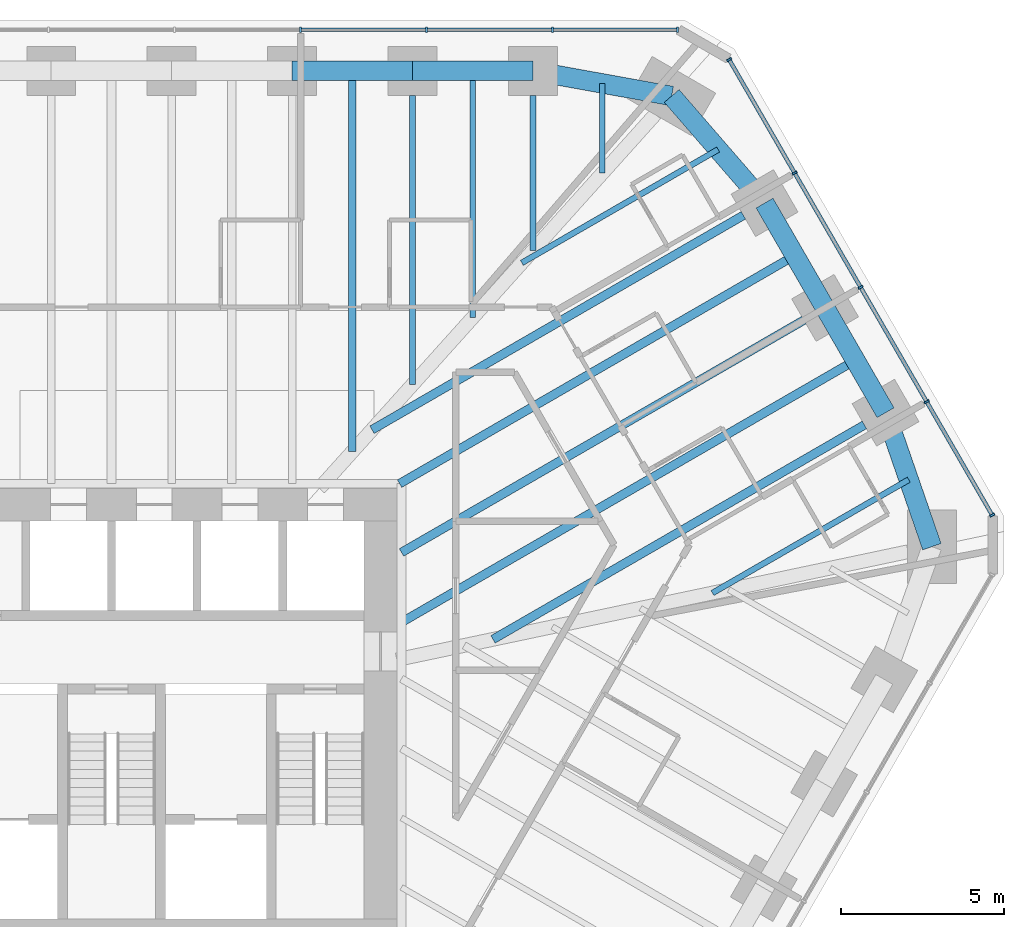
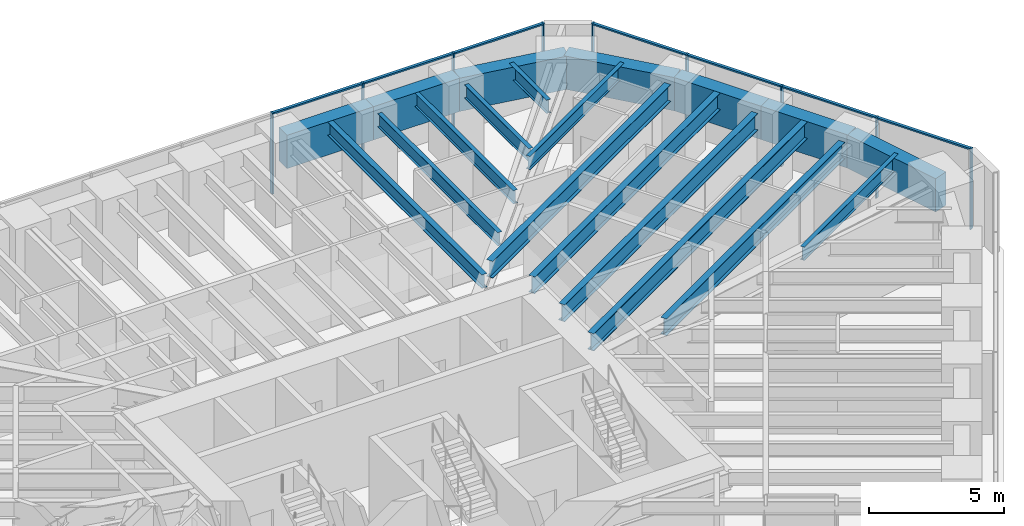
# One storey, part 9 of 17: 19 beams, 16 members, 2 elements without a shape of their own.
"""IFC4 building model written with IfcOpenShell, lengths in metres."""

from ifc_helpers import new_model, si_unit, direction, frame, origin, origin_2d, place, context, subcontext, project, spatial, rectangle, i_section, extrude, material, material_profile, profile_set, type_object, element, aggregate, save


model = new_model("IFC4")

# Units and contexts
model_context = context("Model", 3, precision=1e-05, world=origin(), true_north=direction((0.0, 1.0)))
body_context = subcontext(model_context, "Body", "Model", "MODEL_VIEW")
ifc_project = project(units=[si_unit("LENGTHUNIT", "METRE"), si_unit("AREAUNIT", "SQUARE_METRE"), si_unit("VOLUMEUNIT", "CUBIC_METRE"), si_unit("PLANEANGLEUNIT", "RADIAN"), si_unit("MASSUNIT", "GRAM", prefix="KILO")], contexts=[model_context])

# Site, building, storey
site_placement = place(None, origin())
site = spatial("IfcSite", under=ifc_project, at=site_placement, CompositionType="ELEMENT")
building_placement = place(site_placement, origin())
building = spatial("IfcBuilding", under=site, at=building_placement, Name="Sandreach Pilgrim Tower", CompositionType="ELEMENT")
storey_placement = place(building_placement, frame((0.0, 0.0, 213.60009765625)))
storey = spatial("IfcBuildingStorey", under=building, at=storey_placement, Name="L53", CompositionType="ELEMENT", Elevation=213.60009765625)

# Curtain wall, members
ifc_material_1 = material(Name="Aluminium framed curtain wall", Category="aluminium")
curtain_wall_type = type_object("IfcCurtainWallType", Name="Upper hotel tower curtain wall", PredefinedType="NOTDEFINED", material=ifc_material_1)
curtain_wall_1_placement = place(storey_placement, origin())
curtain_wall_1 = element("IfcCurtainWall", 1, at=curtain_wall_1_placement, inside=storey, type_object=curtain_wall_type, Name="CW-3 L53 N", PredefinedType="NOTDEFINED")
ifc_material_2 = material(Name="Aluminium extrusion", Category="aluminium")
ifc_material_profile_1 = material_profile(ifc_material_2, rectangle(XDim=0.06494140625, YDim=0.159912109375, at=origin_2d()), Name="CW-3M 65X160")
ifc_profile_set_1 = profile_set([ifc_material_profile_1], Name="Aluminium extrusion")
member_type_1 = type_object("IfcMemberType", Name="CW-3 mullion", PredefinedType="MULLION", material=ifc_profile_set_1)
member_1_placement = place(storey_placement, frame((5.796630859375, 21.16015625, 0.0), z_axis=(0.0, 0.0, 1.0), x_axis=(1.0, 0.0, 0.0)))
member_1 = element("IfcMember", 2, at=member_1_placement, type_object=member_type_1, Name="CW-3 mullion 7", PredefinedType="MULLION", context=body_context, shape_type="SweptSolid", body=[
    extrude(rectangle(XDim=0.06494140625, YDim=0.159912109375, at=origin_2d()), origin(), (0.0, 0.0, 1.0), 3.639892578125),
])
member_2_placement = place(storey_placement, frame((9.6611328125, 21.16015625, 0.0), z_axis=(0.0, 0.0, 1.0), x_axis=(1.0, 0.0, 0.0)))
member_2 = element("IfcMember", 3, at=member_2_placement, type_object=member_type_1, Name="CW-3 mullion 8", PredefinedType="MULLION", context=body_context, shape_type="SweptSolid", body=[
    extrude(rectangle(XDim=0.06494140625, YDim=0.159912109375, at=origin_2d()), origin(), (0.0, 0.0, 1.0), 3.639892578125),
])
member_3_placement = place(storey_placement, frame((13.525390625, 21.16015625, 0.0), z_axis=(0.0, 0.0, 1.0), x_axis=(1.0, 0.0, 0.0)))
member_3 = element("IfcMember", 4, at=member_3_placement, type_object=member_type_1, Name="CW-3 mullion 9", PredefinedType="MULLION", context=body_context, shape_type="SweptSolid", body=[
    extrude(rectangle(XDim=0.06494140625, YDim=0.159912109375, at=origin_2d()), origin(), (0.0, 0.0, 1.0), 3.639892578125),
])
member_4_placement = place(storey_placement, frame((17.357421875, 21.16015625, 0.0), z_axis=(0.0, 0.0, 1.0), x_axis=(1.0, 0.0, 0.0)))
member_4 = element("IfcMember", 5, at=member_4_placement, type_object=member_type_1, Name="CW-3 mullion 10", PredefinedType="MULLION", context=body_context, shape_type="SweptSolid", body=[
    extrude(rectangle(XDim=0.06494140625, YDim=0.159912109375, at=origin_2d()), origin(), (0.0, 0.0, 1.0), 3.639892578125),
])

curtain_wall_2_placement = place(storey_placement, origin())
curtain_wall_2 = element("IfcCurtainWall", 6, at=curtain_wall_2_placement, inside=storey, type_object=curtain_wall_type, Name="CW-3 L53 NE", PredefinedType="NOTDEFINED")
member_5_placement = place(storey_placement, frame((18.93896484375, 20.2470703125, 0.0), z_axis=(0.0, 0.0, 1.0), x_axis=(0.5, -0.866025403784, 0.0)))
member_5 = element("IfcMember", 7, at=member_5_placement, type_object=member_type_1, Name="CW-3 mullion 1", PredefinedType="MULLION", context=body_context, shape_type="SweptSolid", body=[
    extrude(rectangle(XDim=0.06494140625, YDim=0.159912109375, at=origin_2d()), origin(), (0.0, 0.0, 1.0), 3.639892578125),
])
member_6_placement = place(storey_placement, frame((20.947021484375, 16.768798828125, 0.0), z_axis=(0.0, 0.0, 1.0), x_axis=(0.5, -0.866025403784, 0.0)))
member_6 = element("IfcMember", 8, at=member_6_placement, type_object=member_type_1, Name="CW-3 mullion 2", PredefinedType="MULLION", context=body_context, shape_type="SweptSolid", body=[
    extrude(rectangle(XDim=0.06494140625, YDim=0.159912109375, at=origin_2d()), origin(), (0.0, 0.0, 1.0), 3.639892578125),
])
member_7_placement = place(storey_placement, frame((22.971435546875, 13.262451171875, 0.0), z_axis=(0.0, 0.0, 1.0), x_axis=(0.5, -0.866025403784, 0.0)))
member_7 = element("IfcMember", 9, at=member_7_placement, type_object=member_type_1, Name="CW-3 mullion 3", PredefinedType="MULLION", context=body_context, shape_type="SweptSolid", body=[
    extrude(rectangle(XDim=0.06494140625, YDim=0.159912109375, at=origin_2d()), origin(), (0.0, 0.0, 1.0), 3.639892578125),
])
member_8_placement = place(storey_placement, frame((24.995849609375, 9.75634765625, 0.0), z_axis=(0.0, 0.0, 1.0), x_axis=(0.5, -0.866025403784, 0.0)))
member_8 = element("IfcMember", 10, at=member_8_placement, type_object=member_type_1, Name="CW-3 mullion 4", PredefinedType="MULLION", context=body_context, shape_type="SweptSolid", body=[
    extrude(rectangle(XDim=0.06494140625, YDim=0.159912109375, at=origin_2d()), origin(), (0.0, 0.0, 1.0), 3.639892578125),
])
member_9_placement = place(storey_placement, frame((27.00390625, 6.278076171875, 0.0), z_axis=(0.0, 0.0, 1.0), x_axis=(0.5, -0.866025403784, 0.0)))
member_9 = element("IfcMember", 11, at=member_9_placement, type_object=member_type_1, Name="CW-3 mullion 5", PredefinedType="MULLION", context=body_context, shape_type="SweptSolid", body=[
    extrude(rectangle(XDim=0.06494140625, YDim=0.159912109375, at=origin_2d()), origin(), (0.0, 0.0, 1.0), 3.639892578125),
])

# Member
ifc_material_3 = material(Name="Aluminium extrusion", Category="aluminium")
ifc_material_profile_2 = material_profile(ifc_material_3, rectangle(XDim=0.1201171875, YDim=0.070068359375, at=origin_2d()), Name="CW-3T 120X70")
ifc_profile_set_2 = profile_set([ifc_material_profile_2], Name="Aluminium extrusion")
member_type_2 = type_object("IfcMemberType", Name="CW-3 transom", PredefinedType="USERDEFINED", material=ifc_profile_set_2)
member_10_placement = place(storey_placement, frame((5.8291015625, 21.16015625, 3.60498046875), z_axis=(1.0, 0.0, 0.0), x_axis=(0.0, 1.0, 0.0)))
member_10 = element("IfcMember", 12, at=member_10_placement, type_object=member_type_2, Name="CW-3 head transom 7", ObjectType="TRANSOM", PredefinedType="USERDEFINED", context=body_context, shape_type="SweptSolid", body=[
    extrude(rectangle(XDim=0.1201171875, YDim=0.070068359375, at=origin_2d()), origin(), (0.0, 0.0, 1.0), 3.799560546875),
])

member_11_placement = place(storey_placement, frame((9.693603515625, 21.16015625, 3.60498046875), z_axis=(1.0, 0.0, 0.0), x_axis=(0.0, 1.0, 0.0)))
member_11 = element("IfcMember", 13, at=member_11_placement, type_object=member_type_2, Name="CW-3 head transom 8", ObjectType="TRANSOM", PredefinedType="USERDEFINED", context=body_context, shape_type="SweptSolid", body=[
    extrude(rectangle(XDim=0.1201171875, YDim=0.070068359375, at=origin_2d()), origin(), (0.0, 0.0, 1.0), 3.79931640625),
])

member_12_placement = place(storey_placement, frame((13.557861328125, 21.16015625, 3.60498046875), z_axis=(1.0, 0.0, 0.0), x_axis=(0.0, 1.0, 0.0)))
member_12 = element("IfcMember", 14, at=member_12_placement, type_object=member_type_2, Name="CW-3 head transom 9", ObjectType="TRANSOM", PredefinedType="USERDEFINED", context=body_context, shape_type="SweptSolid", body=[
    extrude(rectangle(XDim=0.1201171875, YDim=0.070068359375, at=origin_2d()), origin(), (0.0, 0.0, 1.0), 3.76708984375),
])

aggregate(curtain_wall_1, [member_1, member_2, member_3, member_4, member_10, member_11, member_12])

member_13_placement = place(storey_placement, frame((18.955322265625, 20.21875, 3.60498046875), z_axis=(0.499993448556, -0.866029186229, 0.0), x_axis=(0.866029186229, 0.499993448556, 0.0)))
member_13 = element("IfcMember", 15, at=member_13_placement, type_object=member_type_2, Name="CW-3 head transom 1", ObjectType="TRANSOM", PredefinedType="USERDEFINED", context=body_context, shape_type="SweptSolid", body=[
    extrude(rectangle(XDim=0.1201171875, YDim=0.070068359375, at=origin_2d()), origin(), (0.0, 0.0, 1.0), 3.951171875),
])

member_14_placement = place(storey_placement, frame((20.96337890625, 16.74072265625, 3.60498046875), z_axis=(0.499975332564, -0.866039645067, 0.0), x_axis=(0.866039645067, 0.499975332564, 0.0)))
member_14 = element("IfcMember", 16, at=member_14_placement, type_object=member_type_2, Name="CW-3 head transom 2", ObjectType="TRANSOM", PredefinedType="USERDEFINED", context=body_context, shape_type="SweptSolid", body=[
    extrude(rectangle(XDim=0.1201171875, YDim=0.070068359375, at=origin_2d()), origin(), (0.0, 0.0, 1.0), 3.983642578125),
])

member_15_placement = place(storey_placement, frame((22.98779296875, 13.234375, 3.60498046875), z_axis=(0.499975332564, -0.866039645067, 0.0), x_axis=(0.866039645067, 0.499975332564, 0.0)))
member_15 = element("IfcMember", 17, at=member_15_placement, type_object=member_type_2, Name="CW-3 head transom 3", ObjectType="TRANSOM", PredefinedType="USERDEFINED", context=body_context, shape_type="SweptSolid", body=[
    extrude(rectangle(XDim=0.1201171875, YDim=0.070068359375, at=origin_2d()), origin(), (0.0, 0.0, 1.0), 3.983642578125),
])

member_16_placement = place(storey_placement, frame((25.011962890625, 9.728271484375, 3.60498046875), z_axis=(0.499993448556, -0.866029186229, 0.0), x_axis=(0.866029186229, 0.499993448556, 0.0)))
member_16 = element("IfcMember", 18, at=member_16_placement, type_object=member_type_2, Name="CW-3 head transom 4", ObjectType="TRANSOM", PredefinedType="USERDEFINED", context=body_context, shape_type="SweptSolid", body=[
    extrude(rectangle(XDim=0.1201171875, YDim=0.070068359375, at=origin_2d()), origin(), (0.0, 0.0, 1.0), 3.951171875),
])

aggregate(curtain_wall_2, [member_5, member_6, member_7, member_8, member_9, member_13, member_14, member_15, member_16])

# Beams
ifc_material_4 = material(Name="Steel ASTM A992 Grade 50", Category="steel")
ifc_material_profile_3 = material_profile(ifc_material_4, i_section(OverallWidth=0.1787109375, OverallDepth=0.60205078125, WebThickness=0.010986328125, FlangeThickness=0.014892578125, at=origin_2d()), Name="W24X62")
ifc_profile_set_3 = profile_set([ifc_material_profile_3], Name="Steel ASTM A992 Grade 50")
beam_type_1 = type_object("IfcBeamType", Name="Floor beam W24X62", PredefinedType="BEAM", material=ifc_profile_set_3)
beam_1_placement = place(storey_placement, frame((9.231201171875, 19.150146484375, 3.3388671875), z_axis=(0.0, -1.0, 0.0), x_axis=(1.0, 0.0, 0.0)))
element("IfcBeam", 19, at=beam_1_placement, inside=storey, type_object=beam_type_1, Name="BM L53 F07", PredefinedType="BEAM", context=body_context, shape_type="SweptSolid", body=[
    extrude(i_section(OverallWidth=0.1787109375, OverallDepth=0.60205078125, WebThickness=0.010986328125, FlangeThickness=0.014892578125, at=origin_2d()), origin(), (0.0, 0.0, 1.0), 8.86962890625),
])
beam_2_placement = place(storey_placement, frame((12.923828125, 19.150146484375, 3.3388671875), z_axis=(0.0, -1.0, 0.0), x_axis=(1.0, 0.0, 0.0)))
element("IfcBeam", 20, at=beam_2_placement, inside=storey, type_object=beam_type_1, Name="BM L53 F08", PredefinedType="BEAM", context=body_context, shape_type="SweptSolid", body=[
    extrude(i_section(OverallWidth=0.1787109375, OverallDepth=0.60205078125, WebThickness=0.010986328125, FlangeThickness=0.014892578125, at=origin_2d()), origin(), (0.0, 0.0, 1.0), 4.757568359375),
])
beam_3_placement = place(storey_placement, frame((11.077392578125, 19.900146484375, 3.3388671875), z_axis=(0.0, -1.0, 0.0), x_axis=(1.0, 0.0, 0.0)))
element("IfcBeam", 21, at=beam_3_placement, inside=storey, type_object=beam_type_1, Name="BM L53 FM07", PredefinedType="BEAM", context=body_context, shape_type="SweptSolid", body=[
    extrude(i_section(OverallWidth=0.1787109375, OverallDepth=0.60205078125, WebThickness=0.010986328125, FlangeThickness=0.014892578125, at=origin_2d()), origin(), (0.0, 0.0, 1.0), 7.563720703125),
])
beam_4_placement = place(storey_placement, frame((15.05078125, 19.515380859375, 3.3388671875), z_axis=(0.0, -1.0, 0.0), x_axis=(1.0, 0.0, 0.0)))
element("IfcBeam", 22, at=beam_4_placement, inside=storey, type_object=beam_type_1, Name="BM L53 FM08", PredefinedType="BEAM", context=body_context, shape_type="SweptSolid", body=[
    extrude(i_section(OverallWidth=0.1787109375, OverallDepth=0.60205078125, WebThickness=0.010986328125, FlangeThickness=0.014892578125, at=origin_2d()), origin(), (0.0, 0.0, 1.0), 2.75390625),
])
for number, where, z_axis, x_axis, name in (
    (23, (18.6015625, 17.48828125, 3.3388671875), (-0.866029381593, -0.499993110171, 0.0), (0.499993110171, -0.866029381593, 0.0), "BM L53 FM09"),
    (24, (24.446044921875, 7.365234375, 3.3388671875), (-0.866029381593, -0.499993110171, 0.0), (0.499993110171, -0.866029381593, 0.0), "BM L53 FM12"),
):
    element("IfcBeam", number, at=place(storey_placement, frame(where, z_axis=z_axis, x_axis=x_axis)), inside=storey, type_object=beam_type_1, Name=name, PredefinedType="BEAM", context=body_context, shape_type="SweptSolid", body=[
        extrude(i_section(OverallWidth=0.1787109375, OverallDepth=0.60205078125, WebThickness=0.010986328125, FlangeThickness=0.014892578125, at=origin_2d()), origin(), (0.0, 0.0, 1.0), 6.94921875),
    ])
ifc_material_5 = material(Name="Steel ASTM A992 Grade 50", Category="steel")
ifc_material_profile_4 = material_profile(ifc_material_5, i_section(OverallWidth=0.23046875, OverallDepth=0.6171875, WebThickness=0.01318359375, FlangeThickness=0.022216796875, at=origin_2d()), Name="W24X94")
ifc_profile_set_4 = profile_set([ifc_material_profile_4], Name="Steel ASTM A992 Grade 50")
beam_type_2 = type_object("IfcBeamType", Name="Floor beam W24X94", PredefinedType="BEAM", material=ifc_profile_set_4)
beam_5_placement = place(storey_placement, frame((7.385009765625, 19.900146484375, 3.331298828125), z_axis=(0.0, -1.0, 0.0), x_axis=(1.0, 0.0, 0.0)))
element("IfcBeam", 25, at=beam_5_placement, inside=storey, type_object=beam_type_2, Name="BM L53 FM06", PredefinedType="BEAM", context=body_context, shape_type="SweptSolid", body=[
    extrude(i_section(OverallWidth=0.23046875, OverallDepth=0.6171875, WebThickness=0.01318359375, FlangeThickness=0.022216796875, at=origin_2d()), origin(), (0.0, 0.0, 1.0), 11.67578125),
])
ifc_material_6 = material(Name="Steel ASTM A992 Grade 50", Category="steel")
ifc_material_profile_5 = material_profile(ifc_material_6, i_section(OverallWidth=0.2666015625, OverallDepth=0.761962890625, WebThickness=0.014404296875, FlangeThickness=0.021484375, at=origin_2d()), Name="W30X116")
ifc_profile_set_5 = profile_set([ifc_material_profile_5], Name="Steel ASTM A992 Grade 50")
beam_type_3 = type_object("IfcBeamType", Name="Floor beam W30X116", PredefinedType="BEAM", material=ifc_profile_set_5)
beam_6_placement = place(storey_placement, frame((19.37548828125, 15.470947265625, 3.2587890625), z_axis=(-0.866022320763, -0.500005339912, 0.0), x_axis=(0.500005339912, -0.866022320763, 0.0)))
element("IfcBeam", 26, at=beam_6_placement, inside=storey, type_object=beam_type_3, Name="BM L53 F10", PredefinedType="BEAM", context=body_context, shape_type="SweptSolid", body=[
    extrude(i_section(OverallWidth=0.2666015625, OverallDepth=0.761962890625, WebThickness=0.014404296875, FlangeThickness=0.021484375, at=origin_2d()), origin(), (0.0, 0.0, 1.0), 13.148193359375),
])
beam_7_placement = place(storey_placement, frame((21.230712890625, 12.257568359375, 3.2587890625), z_axis=(-0.866024056942, -0.500002332792, 0.0), x_axis=(0.500002332792, -0.866024056942, 0.0)))
element("IfcBeam", 27, at=beam_7_placement, inside=storey, type_object=beam_type_3, Name="BM L53 F11", PredefinedType="BEAM", context=body_context, shape_type="SweptSolid", body=[
    extrude(i_section(OverallWidth=0.2666015625, OverallDepth=0.761962890625, WebThickness=0.014404296875, FlangeThickness=0.021484375, at=origin_2d()), origin(), (0.0, 0.0, 1.0), 14.24609375),
])
beam_8_placement = place(storey_placement, frame((23.0859375, 9.044189453125, 3.2587890625), z_axis=(-0.866026962808, -0.499997299682, 0.0), x_axis=(0.499997299682, -0.866026962808, 0.0)))
element("IfcBeam", 28, at=beam_8_placement, inside=storey, type_object=beam_type_3, Name="BM L53 F12", PredefinedType="BEAM", context=body_context, shape_type="SweptSolid", body=[
    extrude(i_section(OverallWidth=0.2666015625, OverallDepth=0.761962890625, WebThickness=0.014404296875, FlangeThickness=0.021484375, at=origin_2d()), origin(), (0.0, 0.0, 1.0), 13.1484375),
])
beam_9_placement = place(storey_placement, frame((20.95263671875, 14.2392578125, 3.2587890625), z_axis=(-0.866025770688, -0.499999364504, 0.0), x_axis=(0.499999364504, -0.866025770688, 0.0)))
element("IfcBeam", 29, at=beam_9_placement, inside=storey, type_object=beam_type_3, Name="BM L53 FM10", PredefinedType="BEAM", context=body_context, shape_type="SweptSolid", body=[
    extrude(i_section(OverallWidth=0.2666015625, OverallDepth=0.761962890625, WebThickness=0.014404296875, FlangeThickness=0.021484375, at=origin_2d()), origin(), (0.0, 0.0, 1.0), 13.99169921875),
])
ifc_material_7 = material(Name="Steel ASTM A992 Grade 50", Category="steel")
ifc_material_profile_6 = material_profile(ifc_material_7, i_section(OverallWidth=0.2666015625, OverallDepth=0.77978515625, WebThickness=0.0166015625, FlangeThickness=0.030029296875, at=origin_2d()), Name="W30X148")
ifc_profile_set_6 = profile_set([ifc_material_profile_6], Name="Steel ASTM A992 Grade 50")
beam_type_4 = type_object("IfcBeamType", Name="Floor beam W30X148", PredefinedType="BEAM", material=ifc_profile_set_6)
beam_10_placement = place(storey_placement, frame((22.807861328125, 11.02587890625, 3.25), z_axis=(-0.866028701771, -0.499994287676, 0.0), x_axis=(0.499994287676, -0.866028701771, 0.0)))
element("IfcBeam", 30, at=beam_10_placement, inside=storey, type_object=beam_type_4, Name="BM L53 FM11", PredefinedType="BEAM", context=body_context, shape_type="SweptSolid", body=[
    extrude(i_section(OverallWidth=0.2666015625, OverallDepth=0.77978515625, WebThickness=0.0166015625, FlangeThickness=0.030029296875, at=origin_2d()), origin(), (0.0, 0.0, 1.0), 16.067138671875),
])
ifc_material_8 = material(Name="Concrete 10000 psi", Category="concrete")
ifc_material_profile_7 = material_profile(ifc_material_8, rectangle(XDim=0.60009765625, YDim=1.5, at=origin_2d()), Name="RC600X1500")
ifc_profile_set_7 = profile_set([ifc_material_profile_7], Name="Concrete 10000 psi")
beam_type_5 = type_object("IfcBeamType", Name="Spandrel beam RC600X1500", PredefinedType="SPANDREL", material=ifc_profile_set_7)
beam_11_placement = place(storey_placement, frame((5.538818359375, 19.900146484375, 2.889892578125), z_axis=(1.0, 0.0, 0.0), x_axis=(0.0, 1.0, 0.0)))
element("IfcBeam", 31, at=beam_11_placement, inside=storey, type_object=beam_type_5, Name="BM L53 SP06", PredefinedType="SPANDREL", context=body_context, shape_type="SweptSolid", body=[
    extrude(rectangle(XDim=0.60009765625, YDim=1.5, at=origin_2d()), origin(), (0.0, 0.0, 1.0), 3.6923828125),
])
beam_12_placement = place(storey_placement, frame((9.231201171875, 19.900146484375, 2.889892578125), z_axis=(1.0, 0.0, 0.0), x_axis=(0.0, 1.0, 0.0)))
element("IfcBeam", 32, at=beam_12_placement, inside=storey, type_object=beam_type_5, Name="BM L53 SP07", PredefinedType="SPANDREL", context=body_context, shape_type="SweptSolid", body=[
    extrude(rectangle(XDim=0.60009765625, YDim=1.5, at=origin_2d()), origin(), (0.0, 0.0, 1.0), 3.692626953125),
])
beam_13_placement = place(storey_placement, frame((12.923828125, 19.900146484375, 2.889892578125), z_axis=(0.984030345637, -0.178000783326, 0.0), x_axis=(0.178000783326, 0.984030345637, 0.0)))
element("IfcBeam", 33, at=beam_13_placement, inside=storey, type_object=beam_type_5, Name="BM L53 SP08", PredefinedType="SPANDREL", context=body_context, shape_type="SweptSolid", body=[
    extrude(rectangle(XDim=0.60009765625, YDim=1.5, at=origin_2d()), origin(), (0.0, 0.0, 1.0), 4.3232421875),
])
beam_14_placement = place(storey_placement, frame((17.177978515625, 19.130615234375, 2.889892578125), z_axis=(0.65499040715, -0.755637192402, 0.0), x_axis=(0.755637192402, 0.65499040715, 0.0)))
element("IfcBeam", 34, at=beam_14_placement, inside=storey, type_object=beam_type_5, Name="BM L53 SP09", PredefinedType="SPANDREL", context=body_context, shape_type="SweptSolid", body=[
    extrude(rectangle(XDim=0.60009765625, YDim=1.5, at=origin_2d()), origin(), (0.0, 0.0, 1.0), 4.346923828125),
])
for number, where, z_axis, x_axis, name in (
    (35, (20.025146484375, 15.845947265625, 2.889892578125), (0.499995842751, -0.86602780396, 0.0), (0.86602780396, 0.499995842751, 0.0), "BM L53 SP10"),
    (36, (21.88037109375, 12.632568359375, 2.889892578125), (0.499946491854, -0.866056294523, 0.0), (0.866056294523, 0.499946491854, 0.0), "BM L53 SP11"),
):
    element("IfcBeam", number, at=place(storey_placement, frame(where, z_axis=z_axis, x_axis=x_axis)), inside=storey, type_object=beam_type_5, Name=name, PredefinedType="SPANDREL", context=body_context, shape_type="SweptSolid", body=[
        extrude(rectangle(XDim=0.60009765625, YDim=1.5, at=origin_2d()), origin(), (0.0, 0.0, 1.0), 3.71044921875),
    ])
beam_15_placement = place(storey_placement, frame((23.7353515625, 9.419189453125, 2.889892578125), z_axis=(0.326940800053, -0.945044820768, 0.0), x_axis=(0.945044820768, 0.326940800053, 0.0)))
element("IfcBeam", 37, at=beam_15_placement, inside=storey, type_object=beam_type_5, Name="BM L53 SP12", PredefinedType="SPANDREL", context=body_context, shape_type="SweptSolid", body=[
    extrude(rectangle(XDim=0.60009765625, YDim=1.5, at=origin_2d()), origin(), (0.0, 0.0, 1.0), 4.3466796875),
])

save(model, "model.ifc")
